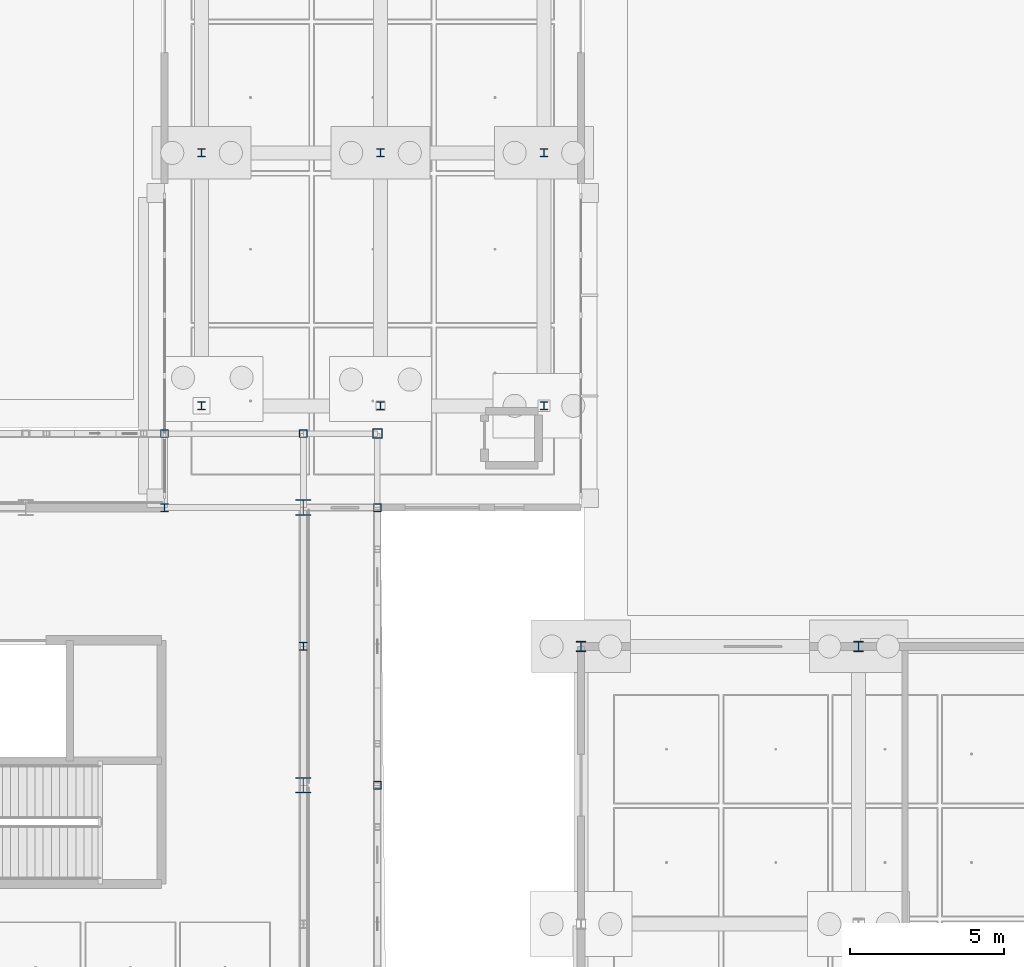
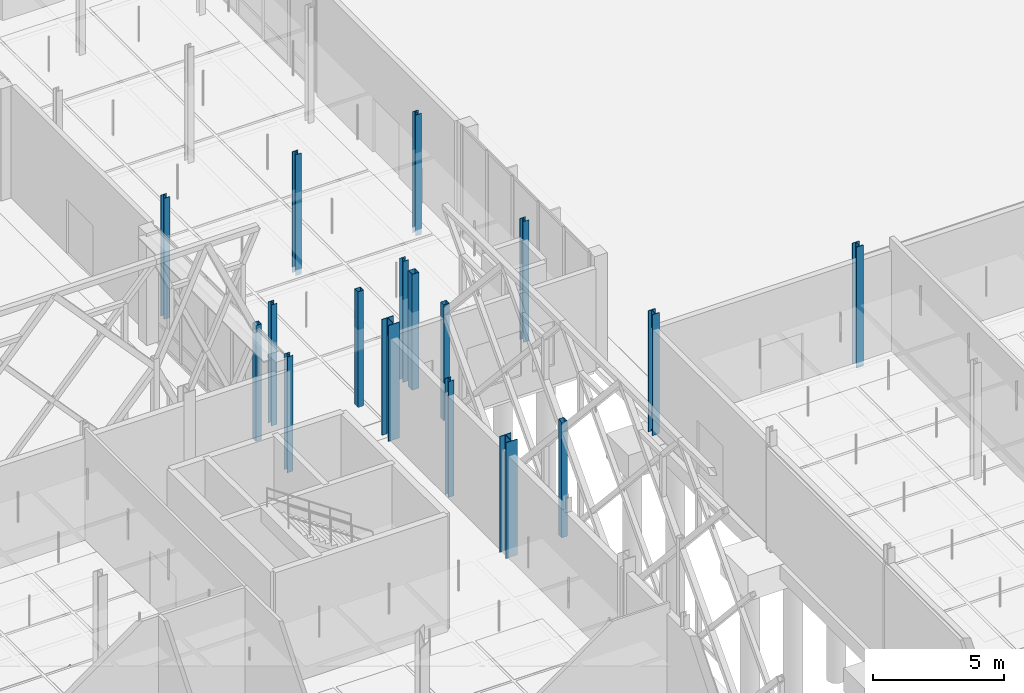
# One storey, part 14 of 180: 17 columns.
"""IFC4 building model written with IfcOpenShell, lengths in metres."""

from ifc_helpers import new_model, si_unit, direction, frame, origin, origin_2d, place, context, subcontext, project, spatial, hollow_rectangle, i_section, extrude, material, material_profile, profile_set, type_object, element, save


model = new_model("IFC4")

# Units and contexts
model_context = context("Model", 3, precision=1e-05, world=origin(), true_north=direction((0.0, 1.0)))
body_context = subcontext(model_context, "Body", "Model", "MODEL_VIEW")
ifc_project = project(units=[si_unit("LENGTHUNIT", "METRE"), si_unit("AREAUNIT", "SQUARE_METRE"), si_unit("VOLUMEUNIT", "CUBIC_METRE"), si_unit("PLANEANGLEUNIT", "RADIAN"), si_unit("MASSUNIT", "GRAM", prefix="KILO"), si_unit("THERMODYNAMICTEMPERATUREUNIT", "KELVIN"), si_unit("POWERUNIT", "WATT")], contexts=[model_context])

# Site, building, storey
site_placement = place(None, origin())
site = spatial("IfcSite", under=ifc_project, at=site_placement, CompositionType="ELEMENT")
building_placement = place(site_placement, origin())
building = spatial("IfcBuilding", under=site, at=building_placement, Name="Tallowbark Science Centre", CompositionType="ELEMENT")
storey_placement = place(building_placement, origin())
storey = spatial("IfcBuildingStorey", under=building, at=storey_placement, Name="L00", CompositionType="ELEMENT", Elevation=0.0)

# Columns
ifc_material_1 = material(Name="White Architectural Painted Steel Grade C350L0 (350 MPa)", Category="steel")
ifc_material_profile_1 = material_profile(ifc_material_1, hollow_rectangle(XDim=0.25, YDim=0.25, WallThickness=0.009033203125, at=origin_2d()), Name="250x250x9.0SHS")
ifc_profile_set_1 = profile_set([ifc_material_profile_1], Name="White Architectural Painted Steel Grade C350L0 (350 MPa)")
column_type_1 = type_object("IfcColumnType", Name="COL-SCR200", PredefinedType="COLUMN", material=ifc_profile_set_1)
for number, where, z_axis, x_axis, name in (
    (1, (103.5, 42.89990234375, 0.0), (0.0, 0.0, 1.0), (1.0, 0.0, 0.0), "Column SCR-N06 L00"),
    (2, (99.0, 42.89990234375, 0.0), (0.0, 0.0, 1.0), (1.0, 0.0, 0.0), "Column SCR-NLNK L00"),
    (3, (105.89990234375, 31.5, 0.0), (0.0, 0.0, 1.0), (1.0, 0.0, 0.0), "Column SCR-E04 L00"),
    (4, (105.89990234375, 40.5, 0.0), (0.0, 0.0, 1.0), (1.0, 0.0, 0.0), "Column SCR-E05 L00"),
):
    element("IfcColumn", number, at=place(storey_placement, frame(where, z_axis=z_axis, x_axis=x_axis)), inside=storey, type_object=column_type_1, Name=name, PredefinedType="COLUMN", context=body_context, shape_type="SweptSolid", body=[
        extrude(hollow_rectangle(XDim=0.25, YDim=0.25, WallThickness=0.009033203125, at=origin_2d()), origin(), (0.0, 0.0, 1.0), 5.39990234375),
    ])
ifc_material_profile_2 = material_profile(ifc_material_1, hollow_rectangle(XDim=0.300048828125, YDim=0.300048828125, WallThickness=0.010009765625, at=origin_2d()), Name="300x300x10.0SHS")
ifc_profile_set_2 = profile_set([ifc_material_profile_2], Name="White Architectural Painted Steel Grade C350L0 (350 MPa)")
column_type_2 = type_object("IfcColumnType", Name="COL-SCR300", PredefinedType="COLUMN", material=ifc_profile_set_2)
column_placement = place(storey_placement, frame((105.89990234375, 42.89990234375, 0.0), z_axis=(0.0, 0.0, 1.0), x_axis=(1.0, 0.0, 0.0)))
element("IfcColumn", 5, at=column_placement, inside=storey, type_object=column_type_2, Name="Column SCR-N07 L00", PredefinedType="COLUMN", context=body_context, shape_type="SweptSolid", body=[
    extrude(hollow_rectangle(XDim=0.300048828125, YDim=0.300048828125, WallThickness=0.010009765625, at=origin_2d()), origin(), (0.0, 0.0, 1.0), 5.39990234375),
])
ifc_material_2 = material(Name="Structural Steel Grade 300PLUS (300 MPa)", Category="steel")
ifc_material_profile_3 = material_profile(ifc_material_2, i_section(OverallWidth=0.256103515625, OverallDepth=0.260009765625, WebThickness=0.010498046875, FlangeThickness=0.017333984375, FilletRadius=0.013916015625, at=origin_2d()), Name="250UC89.5")
ifc_profile_set_3 = profile_set([ifc_material_profile_3], Name="Structural Steel Grade 300PLUS (300 MPa)")
column_type_3 = type_object("IfcColumnType", Name="COL-UC250A", PredefinedType="COLUMN", material=ifc_profile_set_3)
for number, where, z_axis, x_axis, name in (
    (6, (100.199951171875, 43.800048828125, -0.239990234375), (0.0, 0.0, 1.0), (1.0, 0.0, 0.0), "Column LNK-0_0 L00"),
    (7, (100.199951171875, 52.0, -0.239990234375), (0.0, 0.0, 1.0), (1.0, 0.0, 0.0), "Column LNK-0_1 L00"),
    (8, (106.0, 43.800048828125, -0.239990234375), (0.0, 0.0, 1.0), (1.0, 0.0, 0.0), "Column LNK-1_0 L00"),
    (9, (106.0, 52.0, -0.239990234375), (0.0, 0.0, 1.0), (1.0, 0.0, 0.0), "Column LNK-1_1 L00"),
    (10, (111.300048828125, 43.800048828125, -0.239990234375), (0.0, 0.0, 1.0), (1.0, 0.0, 0.0), "Column LNK-2_0 L00"),
    (11, (111.300048828125, 52.0, -0.239990234375), (0.0, 0.0, 1.0), (1.0, 0.0, 0.0), "Column LNK-2_1 L00"),
):
    element("IfcColumn", number, at=place(storey_placement, frame(where, z_axis=z_axis, x_axis=x_axis)), inside=storey, type_object=column_type_3, Name=name, PredefinedType="COLUMN", context=body_context, shape_type="SweptSolid", body=[
        extrude(i_section(OverallWidth=0.256103515625, OverallDepth=0.260009765625, WebThickness=0.010498046875, FlangeThickness=0.017333984375, FilletRadius=0.013916015625, at=origin_2d()), origin(), (0.0, 0.0, 1.0), 5.639892578125),
    ])
ifc_material_profile_4 = material_profile(ifc_material_2, i_section(OverallWidth=0.311279296875, OverallDepth=0.3271484375, WebThickness=0.015625, FlangeThickness=0.02490234375, FilletRadius=0.0166015625, at=origin_2d()), Name="310UC158")
ifc_profile_set_4 = profile_set([ifc_material_profile_4], Name="Structural Steel Grade 300PLUS (300 MPa)")
column_type_4 = type_object("IfcColumnType", Name="COL-UC310A", PredefinedType="COLUMN", material=ifc_profile_set_4)
for number, where, z_axis, x_axis, name in (
    (12, (112.5, 36.0, -0.239990234375), (0.0, 0.0, 1.0), (1.0, 0.0, 0.0), "Column THT-M0_4 L00"),
    (13, (121.5, 36.0, -0.239990234375), (0.0, 0.0, 1.0), (1.0, 0.0, 0.0), "Column THT-M1_4 L00"),
):
    element("IfcColumn", number, at=place(storey_placement, frame(where, z_axis=z_axis, x_axis=x_axis)), inside=storey, type_object=column_type_4, Name=name, PredefinedType="COLUMN", context=body_context, shape_type="SweptSolid", body=[
        extrude(i_section(OverallWidth=0.311279296875, OverallDepth=0.3271484375, WebThickness=0.015625, FlangeThickness=0.02490234375, FilletRadius=0.0166015625, at=origin_2d()), origin(), (0.0, 0.0, 1.0), 5.639892578125),
    ])
ifc_material_profile_5 = material_profile(ifc_material_2, i_section(OverallWidth=0.5, OverallDepth=0.513916015625, WebThickness=0.02197265625, FlangeThickness=0.031982421875, FilletRadius=0.01611328125, at=origin_2d()), Name="500WC340")
ifc_profile_set_5 = profile_set([ifc_material_profile_5], Name="Structural Steel Grade 300PLUS (300 MPa)")
column_type_5 = type_object("IfcColumnType", Name="COL-WC500", PredefinedType="COLUMN", material=ifc_profile_set_5)
for number, where, z_axis, x_axis, name in (
    (14, (103.5, 31.5, 0.0), (0.0, 0.0, 1.0), (1.0, 0.0, 0.0), "Column CUB-M5_3 L00"),
    (15, (103.5, 40.5, 0.0), (0.0, 0.0, 1.0), (1.0, 0.0, 0.0), "Column CUB-M5_4 L00"),
):
    element("IfcColumn", number, at=place(storey_placement, frame(where, z_axis=z_axis, x_axis=x_axis)), inside=storey, type_object=column_type_5, Name=name, PredefinedType="COLUMN", context=body_context, shape_type="SweptSolid", body=[
        extrude(i_section(OverallWidth=0.5, OverallDepth=0.513916015625, WebThickness=0.02197265625, FlangeThickness=0.031982421875, FilletRadius=0.01611328125, at=origin_2d()), origin(), (0.0, 0.0, 1.0), 5.39990234375),
    ])
ifc_material_profile_6 = material_profile(ifc_material_2, i_section(OverallWidth=0.256103515625, OverallDepth=0.260009765625, WebThickness=0.010498046875, FlangeThickness=0.017333984375, FilletRadius=0.013916015625, at=origin_2d()), Name="250UC89.5")
ifc_profile_set_6 = profile_set([ifc_material_profile_6], Name="Structural Steel Grade 300PLUS (300 MPa)")
column_type_6 = type_object("IfcColumnType", Name="PIL-UC250", PredefinedType="PILASTER", material=ifc_profile_set_6)
for number, where, z_axis, x_axis, name in (
    (16, (99.0, 40.5, 0.0), (0.0, 0.0, 1.0), (1.0, 0.0, 0.0), "Column CUB-PN-4 L00"),
    (17, (103.5, 36.0, 0.0), (0.0, 0.0, 1.0), (1.0, 0.0, 0.0), "Column CUB-PE-3 L00"),
):
    element("IfcColumn", number, at=place(storey_placement, frame(where, z_axis=z_axis, x_axis=x_axis)), inside=storey, type_object=column_type_6, Name=name, PredefinedType="PILASTER", context=body_context, shape_type="SweptSolid", body=[
        extrude(i_section(OverallWidth=0.256103515625, OverallDepth=0.260009765625, WebThickness=0.010498046875, FlangeThickness=0.017333984375, FilletRadius=0.013916015625, at=origin_2d()), origin(), (0.0, 0.0, 1.0), 5.39990234375),
    ])

save(model, "model.ifc")
